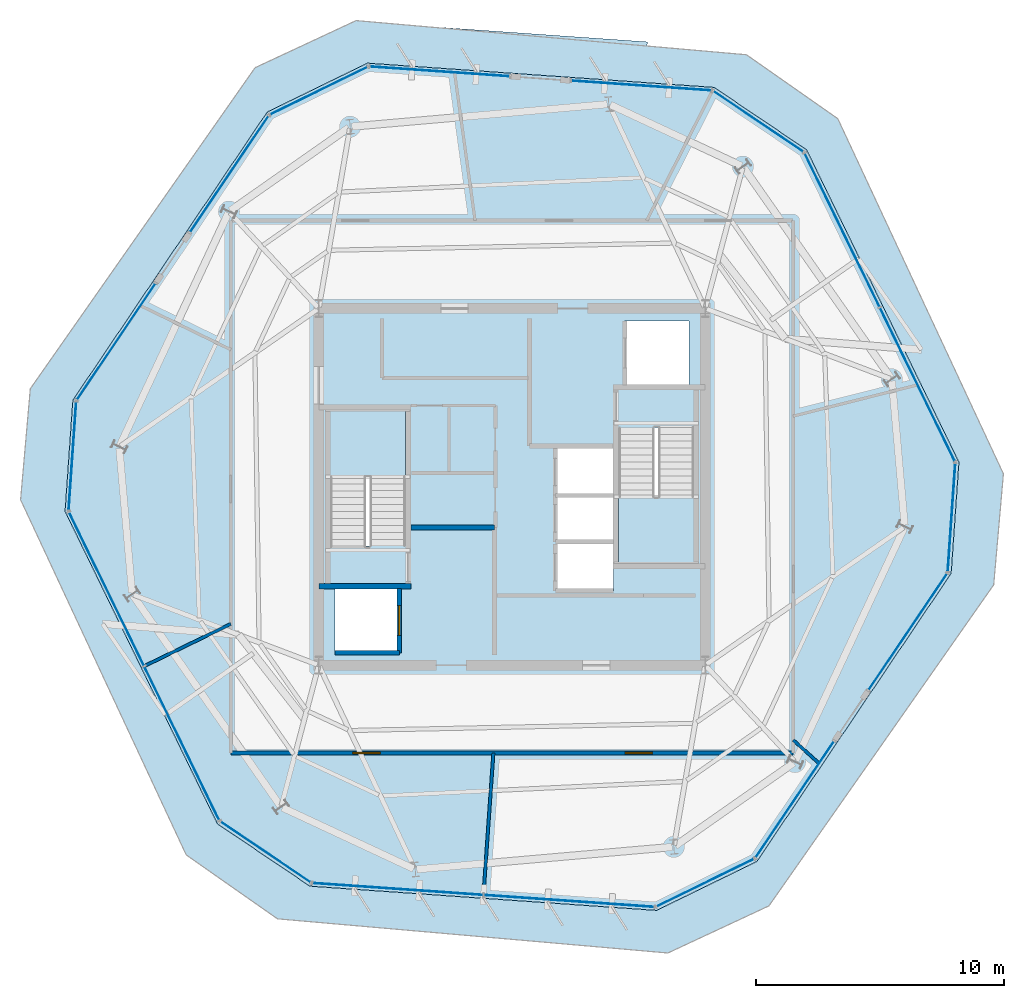
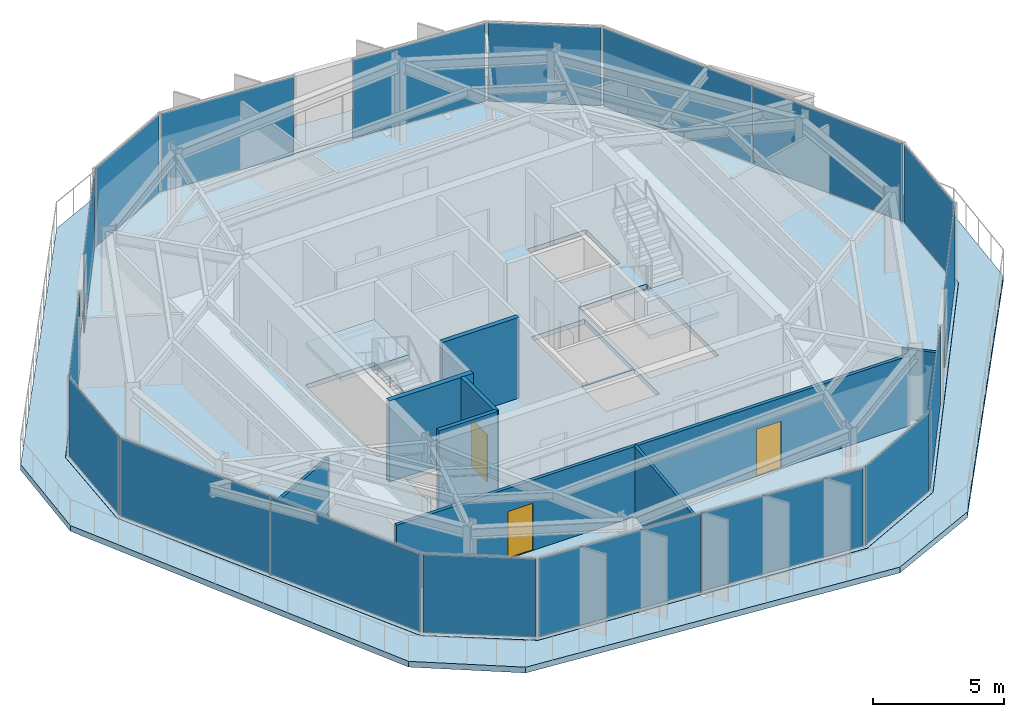
# One storey, part 7 of 12: 18 plates, 8 walls, 4 slabs, 3 doors, 3 openings, 17 elements without a shape of their own.
"""IFC4 building model written with IfcOpenShell, lengths in metres."""

from ifc_helpers import new_model, si_unit, direction, frame, frame_2d, origin, origin_2d, place, context, subcontext, project, spatial, polyline, rectangle, outline, extrude, material, layer, layer_set, type_object, element, fill, aggregate, save


model = new_model("IFC4")

# Units and contexts
model_context = context("Model", 3, precision=1e-05, world=origin(), true_north=direction((0.0, 1.0)))
body_context = subcontext(model_context, "Body", "Model", "MODEL_VIEW")
ifc_project = project(units=[si_unit("LENGTHUNIT", "METRE"), si_unit("AREAUNIT", "SQUARE_METRE"), si_unit("VOLUMEUNIT", "CUBIC_METRE"), si_unit("PLANEANGLEUNIT", "RADIAN"), si_unit("MASSUNIT", "GRAM", prefix="KILO")], contexts=[model_context])

# Site, building, storey
site_placement = place(None, origin())
site = spatial("IfcSite", under=ifc_project, at=site_placement, CompositionType="ELEMENT")
building_placement = place(site_placement, origin())
building = spatial("IfcBuilding", under=site, at=building_placement, Name="Kranzbogen Civic Tower", CompositionType="ELEMENT")
storey_placement = place(building_placement, frame((0.0, 0.0, 250.199951171875)))
storey = spatial("IfcBuildingStorey", under=building, at=storey_placement, Name="L60", CompositionType="ELEMENT", Elevation=250.199951171875)

# Slabs
ifc_material_1 = material(Name="Concrete C40/50", Category="concrete")
ifc_layer_1 = layer(ifc_material_1, 0.219970703125, Name="Concrete C40/50")
ifc_layer_set_1 = layer_set([ifc_layer_1], Name="Concrete C40/50")
slab_type_1 = type_object("IfcSlabType", Name="Composite Upper Tower Floor Slab 220 mm", PredefinedType="FLOOR", material=ifc_layer_set_1)
slab_1_placement = place(storey_placement, frame((0.0, 0.0, -0.219970703125)))
element("IfcSlab", 1, at=slab_1_placement, inside=storey, type_object=slab_type_1, Name="L60 tower floor slab", PredefinedType="FLOOR", context=body_context, shape_type="SweptSolid", body=[
    extrude(outline(polyline([(33.158935546875, 41.1201171875), (19.1640625, 42.09912109375), (15.118896484375, 40.1259765625), (7.27392578125, 28.4951171875), (6.9599609375, 24.006103515625), (13.110107421875, 11.39599609375), (16.841064453125, 8.8798828125), (30.8359375, 7.90087890625), (34.881103515625, 9.8740234375), (42.72607421875, 21.5048828125), (43.0400390625, 25.993896484375), (36.889892578125, 38.60400390625), (33.158935546875, 41.1201171875)]), holes=[polyline([(17.85009765625, 20.89990234375), (20.449951171875, 20.89990234375), (20.449951171875, 18.300048828125), (17.85009765625, 18.300048828125), (17.85009765625, 20.89990234375)]), polyline([(29.10009765625, 22.699951171875), (29.10009765625, 20.800048828125), (26.75, 20.800048828125), (26.75, 22.699951171875), (29.10009765625, 22.699951171875)]), polyline([(29.10009765625, 24.64990234375), (29.10009765625, 22.77490234375), (26.75, 22.77490234375), (26.75, 24.64990234375), (26.75, 24.675048828125), (26.75, 26.550048828125), (29.10009765625, 26.550048828125), (29.10009765625, 24.675048828125), (29.10009765625, 24.64990234375)]), polyline([(29.300048828125, 27.340087890625), (30.75, 27.340087890625), (30.75, 27.39990234375), (32.35009765625, 27.39990234375), (32.35009765625, 21.89990234375), (29.300048828125, 21.89990234375), (29.300048828125, 27.340087890625)]), polyline([(20.699951171875, 22.659912109375), (19.25, 22.659912109375), (19.25, 22.60009765625), (17.64990234375, 22.60009765625), (17.64990234375, 28.10009765625), (20.699951171875, 28.10009765625), (20.699951171875, 22.659912109375)]), polyline([(32.14990234375, 31.699951171875), (32.14990234375, 29.10009765625), (29.550048828125, 29.10009765625), (29.550048828125, 31.699951171875), (32.14990234375, 31.699951171875)])]), origin(), (0.0, 0.0, 1.0), 0.219970703125),
])
ifc_layer_2 = layer(ifc_material_1, 0.27001953125, Name="Concrete C40/50")
ifc_layer_set_2 = layer_set([ifc_layer_2], Name="Concrete C40/50")
slab_type_2 = type_object("IfcSlabType", Name="Health Centre Insulated Roof Terrace Slab 270 mm", PredefinedType="FLOOR", material=ifc_layer_set_2)
slab_2_placement = place(storey_placement, frame((0.0, 0.0, -0.27001953125)))
element("IfcSlab", 2, at=slab_2_placement, inside=storey, type_object=slab_type_2, Name="L60 setback outdoor terrace slab 1", PredefinedType="FLOOR", context=body_context, shape_type="SweptSolid", body=[
    extrude(outline(polyline([(44.837890625, 25.52294921875), (38.152099609375, 39.860107421875), (34.466064453125, 42.44091796875), (30.4541015625, 42.7919921875), (30.466064453125, 42.9619140625), (22.0869140625, 43.548095703125), (22.0849609375, 43.52392578125), (18.70703125, 43.820068359375), (14.6279296875, 41.91796875), (5.554931640625, 28.9599609375), (5.162109375, 24.47705078125), (11.847900390625, 10.139892578125), (15.533935546875, 7.55908203125), (31.29296875, 6.179931640625), (35.3720703125, 8.08203125), (44.445068359375, 21.0400390625), (44.837890625, 25.52294921875)]), holes=[polyline([(33.162109375, 41.1240234375), (36.89306640625, 38.60791015625), (36.89306640625, 38.60791015625), (36.89404296875, 38.60693359375), (36.89404296875, 38.60693359375), (36.89404296875, 38.60693359375), (36.89404296875, 38.60595703125), (43.0439453125, 25.99609375), (43.044921875, 25.99609375), (43.044921875, 25.9951171875), (43.044921875, 25.9951171875), (43.044921875, 25.993896484375), (43.044921875, 25.993896484375), (42.73095703125, 21.5048828125), (42.73095703125, 21.50390625), (42.73095703125, 21.50390625), (42.73095703125, 21.5029296875), (42.72998046875, 21.5029296875), (42.72998046875, 21.501953125), (34.885009765625, 9.87109375), (34.885009765625, 9.87109375), (34.884033203125, 9.8701171875), (34.884033203125, 9.8701171875), (34.884033203125, 9.8701171875), (34.883056640625, 9.8701171875), (30.837890625, 7.89697265625), (30.837890625, 7.89599609375), (30.8369140625, 7.89599609375), (30.8369140625, 7.89599609375), (30.8359375, 7.89599609375), (30.8359375, 7.89599609375), (16.841064453125, 8.875), (16.840087890625, 8.875), (16.840087890625, 8.875), (16.839111328125, 8.875), (16.839111328125, 8.8759765625), (16.837890625, 8.8759765625), (13.10693359375, 11.39208984375), (13.10693359375, 11.39208984375), (13.10595703125, 11.39306640625), (13.10595703125, 11.39306640625), (13.10595703125, 11.39306640625), (13.10595703125, 11.39404296875), (6.9560546875, 24.00390625), (6.955078125, 24.00390625), (6.955078125, 24.0048828125), (6.955078125, 24.0048828125), (6.955078125, 24.006103515625), (6.955078125, 24.006103515625), (7.26904296875, 28.4951171875), (7.26904296875, 28.49609375), (7.26904296875, 28.49609375), (7.26904296875, 28.4970703125), (7.27001953125, 28.4970703125), (7.27001953125, 28.498046875), (15.114990234375, 40.12890625), (15.114990234375, 40.12890625), (15.115966796875, 40.1298828125), (15.115966796875, 40.1298828125), (15.115966796875, 40.1298828125), (15.116943359375, 40.1298828125), (19.162109375, 42.10302734375), (19.162109375, 42.10400390625), (19.1630859375, 42.10400390625), (19.1630859375, 42.10400390625), (19.1640625, 42.10400390625), (19.1640625, 42.10400390625), (33.158935546875, 41.125), (33.159912109375, 41.125), (33.159912109375, 41.125), (33.160888671875, 41.125), (33.160888671875, 41.1240234375), (33.162109375, 41.1240234375)])]), origin(), (0.0, 0.0, 1.0), 0.27001953125),
])

# Curtain wall, plate
ifc_material_2 = material(Name="Pale Anodised Aluminium", Category="aluminium")
ifc_layer_3 = layer(ifc_material_2, 0.219970703125, Name="Pale Anodised Aluminium")
ifc_layer_set_3 = layer_set([ifc_layer_3], Name="Pale Anodised Aluminium")
curtain_wall_type_1 = type_object("IfcCurtainWallType", Name="Chamfer Facet Stick Curtain Wall System CW-06", PredefinedType="USERDEFINED", material=ifc_layer_set_3)
curtain_wall_1_placement = place(storey_placement, origin())
curtain_wall_1 = element("IfcCurtainWall", 3, at=curtain_wall_1_placement, inside=storey, type_object=curtain_wall_type_1, Name="L60 curtain wall CW-L60-C1", ObjectType="STICK CURTAIN WALL", PredefinedType="USERDEFINED")
ifc_material_3 = material(Name="Low-E Triple Glazing Glass", Category="glass")
ifc_layer_4 = layer(ifc_material_3, 0.02587890625, Name="Low-E Triple Glazing Glass")
ifc_layer_set_4 = layer_set([ifc_layer_4], Name="Low-E Triple Glazing Glass")
plate_type_1 = type_object("IfcPlateType", Name="Insulated Low-E Glazing Panel 26 mm", PredefinedType="CURTAIN_PANEL", material=ifc_layer_set_4)
plate_1_placement = place(storey_placement, frame((17.202392578125, 40.988037109375, 0.06005859375), z_axis=(0.0, 0.0, 1.0), x_axis=(-0.898729699392, -0.438503052931, 0.0)))
plate_1 = element("IfcPlate", 4, at=plate_1_placement, type_object=plate_type_1, Name="CW-06 panel 1.1", PredefinedType="CURTAIN_PANEL", context=body_context, shape_type="SweptSolid", body=[
    extrude(rectangle(XDim=4.34521484375, YDim=0.028076171875, at=origin_2d()), origin(), (0.0, 0.0, 1.0), 3.659912109375),
])
aggregate(curtain_wall_1, [plate_1])

curtain_wall_2_placement = place(storey_placement, origin())
curtain_wall_2 = element("IfcCurtainWall", 5, at=curtain_wall_2_placement, inside=storey, type_object=curtain_wall_type_1, Name="L60 curtain wall CW-L60-C2", ObjectType="STICK CURTAIN WALL", PredefinedType="USERDEFINED")
plate_2_placement = place(storey_placement, frame((7.255615234375, 26.240966796875, 0.06005859375), z_axis=(0.0, 0.0, 1.0), x_axis=(-0.069655280364, -0.997571121233, 0.0)))
plate_2 = element("IfcPlate", 6, at=plate_2_placement, type_object=plate_type_1, Name="CW-06 panel 1.1", PredefinedType="CURTAIN_PANEL", context=body_context, shape_type="SweptSolid", body=[
    extrude(rectangle(XDim=4.3447265625, YDim=0.028076171875, at=origin_2d()), origin(), (0.0, 0.0, 1.0), 3.659912109375),
])
aggregate(curtain_wall_2, [plate_2])

curtain_wall_3_placement = place(storey_placement, origin())
curtain_wall_3 = element("IfcCurtainWall", 7, at=curtain_wall_3_placement, inside=storey, type_object=curtain_wall_type_1, Name="L60 curtain wall CW-L60-C3", ObjectType="STICK CURTAIN WALL", PredefinedType="USERDEFINED")
plate_3_placement = place(storey_placement, frame((15.052978515625, 10.2529296875, 0.06005859375), z_axis=(0.0, 0.0, 1.0), x_axis=(0.829144558925, -0.559034256915, 0.0)))
plate_3 = element("IfcPlate", 8, at=plate_3_placement, type_object=plate_type_1, Name="CW-06 panel 1.1", PredefinedType="CURTAIN_PANEL", context=body_context, shape_type="SweptSolid", body=[
    extrude(rectangle(XDim=4.3447265625, YDim=0.028076171875, at=origin_2d()), origin(), (0.0, 0.0, 1.0), 3.659912109375),
])
aggregate(curtain_wall_3, [plate_3])

curtain_wall_4_placement = place(storey_placement, origin())
curtain_wall_4 = element("IfcCurtainWall", 9, at=curtain_wall_4_placement, inside=storey, type_object=curtain_wall_type_1, Name="L60 curtain wall CW-L60-C4", ObjectType="STICK CURTAIN WALL", PredefinedType="USERDEFINED")
plate_4_placement = place(storey_placement, frame((32.797607421875, 9.011962890625, 0.06005859375), z_axis=(0.0, 0.0, 1.0), x_axis=(0.898729699392, 0.438503052931, 0.0)))
plate_4 = element("IfcPlate", 10, at=plate_4_placement, type_object=plate_type_1, Name="CW-06 panel 1.1", PredefinedType="CURTAIN_PANEL", context=body_context, shape_type="SweptSolid", body=[
    extrude(rectangle(XDim=4.34521484375, YDim=0.028076171875, at=origin_2d()), origin(), (0.0, 0.0, 1.0), 3.659912109375),
])
aggregate(curtain_wall_4, [plate_4])

curtain_wall_5_placement = place(storey_placement, origin())
curtain_wall_5 = element("IfcCurtainWall", 11, at=curtain_wall_5_placement, inside=storey, type_object=curtain_wall_type_1, Name="L60 curtain wall CW-L60-C5", ObjectType="STICK CURTAIN WALL", PredefinedType="USERDEFINED")
plate_5_placement = place(storey_placement, frame((42.744384765625, 23.759033203125, 0.06005859375), z_axis=(0.0, 0.0, 1.0), x_axis=(0.069655280364, 0.997571121233, 0.0)))
plate_5 = element("IfcPlate", 12, at=plate_5_placement, type_object=plate_type_1, Name="CW-06 panel 1.1", PredefinedType="CURTAIN_PANEL", context=body_context, shape_type="SweptSolid", body=[
    extrude(rectangle(XDim=4.3447265625, YDim=0.028076171875, at=origin_2d()), origin(), (0.0, 0.0, 1.0), 3.659912109375),
])
aggregate(curtain_wall_5, [plate_5])

curtain_wall_6_placement = place(storey_placement, origin())
curtain_wall_6 = element("IfcCurtainWall", 13, at=curtain_wall_6_placement, inside=storey, type_object=curtain_wall_type_1, Name="L60 curtain wall CW-L60-C6", ObjectType="STICK CURTAIN WALL", PredefinedType="USERDEFINED")
plate_6_placement = place(storey_placement, frame((34.947021484375, 39.7470703125, 0.06005859375), z_axis=(0.0, 0.0, 1.0), x_axis=(-0.829144558925, 0.559034256915, 0.0)))
plate_6 = element("IfcPlate", 14, at=plate_6_placement, type_object=plate_type_1, Name="CW-06 panel 1.1", PredefinedType="CURTAIN_PANEL", context=body_context, shape_type="SweptSolid", body=[
    extrude(rectangle(XDim=4.3447265625, YDim=0.028076171875, at=origin_2d()), origin(), (0.0, 0.0, 1.0), 3.659912109375),
])
aggregate(curtain_wall_6, [plate_6])

ifc_layer_5 = layer(ifc_material_2, 0.219970703125, Name="Pale Anodised Aluminium")
ifc_layer_set_5 = layer_set([ifc_layer_5], Name="Pale Anodised Aluminium")
curtain_wall_type_2 = type_object("IfcCurtainWallType", Name="Zone 4 Stick Curtain Wall System CW-05", PredefinedType="USERDEFINED", material=ifc_layer_set_5)
curtain_wall_7_placement = place(storey_placement, origin())
curtain_wall_7 = element("IfcCurtainWall", 15, at=curtain_wall_7_placement, inside=storey, type_object=curtain_wall_type_2, Name="L60 curtain wall CW-L60-F1-S1", ObjectType="STICK CURTAIN WALL", PredefinedType="USERDEFINED")
ifc_layer_6 = layer(ifc_material_3, 0.028076171875, Name="Low-E Triple Glazing Glass")
ifc_layer_set_6 = layer_set([ifc_layer_6], Name="Low-E Triple Glazing Glass")
plate_type_2 = type_object("IfcPlateType", Name="Insulated Low-E Glazing Panel 28 mm", PredefinedType="CURTAIN_PANEL", material=ifc_layer_set_6)
plate_7_placement = place(storey_placement, frame((30.222900390625, 41.196044921875, 0.06005859375), z_axis=(0.0, 0.0, 1.0), x_axis=(-0.997561626971, 0.069791119738, 0.0)))
plate_7 = element("IfcPlate", 16, at=plate_7_placement, type_object=plate_type_2, Name="CW-05 panel 1.1", PredefinedType="CURTAIN_PANEL", context=body_context, shape_type="SweptSolid", body=[
    extrude(rectangle(XDim=5.64013671875, YDim=0.028076171875, at=origin_2d()), origin(), (0.0, 0.0, 1.0), 3.659912109375),
])
aggregate(curtain_wall_7, [plate_7])

curtain_wall_8_placement = place(storey_placement, origin())
curtain_wall_8 = element("IfcCurtainWall", 17, at=curtain_wall_8_placement, inside=storey, type_object=curtain_wall_type_2, Name="L60 curtain wall CW-L60-F1-S2", ObjectType="STICK CURTAIN WALL", PredefinedType="USERDEFINED")
plate_8_placement = place(storey_placement, frame((22.08251953125, 41.76611328125, 0.06005859375), z_axis=(0.0, 0.0, 1.0), x_axis=(-0.99756247237, 0.06977903496, 0.0)))
plate_8 = element("IfcPlate", 18, at=plate_8_placement, type_object=plate_type_2, Name="CW-05 panel 1.1", PredefinedType="CURTAIN_PANEL", context=body_context, shape_type="SweptSolid", body=[
    extrude(rectangle(XDim=5.64111328125, YDim=0.028076171875, at=origin_2d()), origin(), (0.0, 0.0, 1.0), 3.659912109375),
])
aggregate(curtain_wall_8, [plate_8])

curtain_wall_9_placement = place(storey_placement, origin())
curtain_wall_9 = element("IfcCurtainWall", 19, at=curtain_wall_9_placement, inside=storey, type_object=curtain_wall_type_2, Name="L60 curtain wall CW-L60-F2-S1", ObjectType="STICK CURTAIN WALL", PredefinedType="USERDEFINED")
plate_9_placement = place(storey_placement, frame((13.58544921875, 37.62158203125, 0.06005859375), z_axis=(0.0, 0.0, 1.0), x_axis=(-0.559219373817, -0.829019717466, 0.0)))
plate_9 = element("IfcPlate", 20, at=plate_9_placement, type_object=plate_type_2, Name="CW-05 panel 1.1", PredefinedType="CURTAIN_PANEL", context=body_context, shape_type="SweptSolid", body=[
    extrude(rectangle(XDim=5.639892578125, YDim=0.028076171875, at=origin_2d()), origin(), (0.0, 0.0, 1.0), 3.659912109375),
])
aggregate(curtain_wall_9, [plate_9])

curtain_wall_10_placement = place(storey_placement, origin())
curtain_wall_10 = element("IfcCurtainWall", 21, at=curtain_wall_10_placement, inside=storey, type_object=curtain_wall_type_2, Name="L60 curtain wall CW-L60-F2-S2", ObjectType="STICK CURTAIN WALL", PredefinedType="USERDEFINED")
plate_10_placement = place(storey_placement, frame((9.02197265625, 30.85595703125, 0.06005859375), z_axis=(0.0, 0.0, 1.0), x_axis=(-0.559258196655, -0.828993528005, 0.0)))
plate_10 = element("IfcPlate", 22, at=plate_10_placement, type_object=plate_type_2, Name="CW-05 panel 1.1", PredefinedType="CURTAIN_PANEL", context=body_context, shape_type="SweptSolid", body=[
    extrude(rectangle(XDim=5.64111328125, YDim=0.028076171875, at=origin_2d()), origin(), (0.0, 0.0, 1.0), 3.659912109375),
])
aggregate(curtain_wall_10, [plate_10])

# Curtain wall, plates
curtain_wall_11_placement = place(storey_placement, origin())
curtain_wall_11 = element("IfcCurtainWall", 23, at=curtain_wall_11_placement, inside=storey, type_object=curtain_wall_type_2, Name="L60 curtain wall CW-L60-F3", ObjectType="STICK CURTAIN WALL", PredefinedType="USERDEFINED")
plate_11_placement = place(storey_placement, frame((8.632080078125, 20.872314453125, 0.06005859375), z_axis=(0.0, 0.0, 1.0), x_axis=(0.438313241506, -0.898822286284, 0.0)))
plate_11 = element("IfcPlate", 24, at=plate_11_placement, type_object=plate_type_2, Name="CW-05 panel 1.1", PredefinedType="CURTAIN_PANEL", context=body_context, shape_type="SweptSolid", body=[
    extrude(rectangle(XDim=6.870849609375, YDim=0.028076171875, at=origin_2d()), origin(), (0.0, 0.0, 1.0), 3.659912109375),
])
plate_12_placement = place(storey_placement, frame((11.669921875, 14.642822265625, 0.06005859375), z_axis=(0.0, 0.0, 1.0), x_axis=(0.438313241506, -0.898822286284, 0.0)))
plate_12 = element("IfcPlate", 25, at=plate_12_placement, type_object=plate_type_2, Name="CW-05 panel 2.1", PredefinedType="CURTAIN_PANEL", context=body_context, shape_type="SweptSolid", body=[
    extrude(rectangle(XDim=6.870849609375, YDim=0.028076171875, at=origin_2d()), origin(), (0.0, 0.0, 1.0), 3.659912109375),
])
aggregate(curtain_wall_11, [plate_11, plate_12])

curtain_wall_12_placement = place(storey_placement, origin())
curtain_wall_12 = element("IfcCurtainWall", 26, at=curtain_wall_12_placement, inside=storey, type_object=curtain_wall_type_2, Name="L60 curtain wall CW-L60-F4", ObjectType="STICK CURTAIN WALL", PredefinedType="USERDEFINED")
plate_13_placement = place(storey_placement, frame((20.390625, 8.760986328125, 0.06005859375), z_axis=(0.0, 0.0, 1.0), x_axis=(0.997559417469, -0.069822694158, 0.0)))
plate_13 = element("IfcPlate", 27, at=plate_13_placement, type_object=plate_type_2, Name="CW-05 panel 1.1", PredefinedType="CURTAIN_PANEL", context=body_context, shape_type="SweptSolid", body=[
    extrude(rectangle(XDim=6.87060546875, YDim=0.028076171875, at=origin_2d()), origin(), (0.0, 0.0, 1.0), 3.659912109375),
])
plate_14_placement = place(storey_placement, frame((27.30419921875, 8.277099609375, 0.06005859375), z_axis=(0.0, 0.0, 1.0), x_axis=(0.997559417469, -0.069822694158, 0.0)))
plate_14 = element("IfcPlate", 28, at=plate_14_placement, type_object=plate_type_2, Name="CW-05 panel 2.1", PredefinedType="CURTAIN_PANEL", context=body_context, shape_type="SweptSolid", body=[
    extrude(rectangle(XDim=6.87060546875, YDim=0.028076171875, at=origin_2d()), origin(), (0.0, 0.0, 1.0), 3.659912109375),
])
aggregate(curtain_wall_12, [plate_13, plate_14])

# Curtain wall, plate
curtain_wall_13_placement = place(storey_placement, origin())
curtain_wall_13 = element("IfcCurtainWall", 29, at=curtain_wall_13_placement, inside=storey, type_object=curtain_wall_type_2, Name="L60 curtain wall CW-L60-F5-S1", ObjectType="STICK CURTAIN WALL", PredefinedType="USERDEFINED")
plate_15_placement = place(storey_placement, frame((36.41455078125, 12.37841796875, 0.06005859375), z_axis=(0.0, 0.0, 1.0), x_axis=(0.559219373817, 0.829019717466, 0.0)))
plate_15 = element("IfcPlate", 30, at=plate_15_placement, type_object=plate_type_2, Name="CW-05 panel 1.1", PredefinedType="CURTAIN_PANEL", context=body_context, shape_type="SweptSolid", body=[
    extrude(rectangle(XDim=5.639892578125, YDim=0.028076171875, at=origin_2d()), origin(), (0.0, 0.0, 1.0), 3.659912109375),
])
aggregate(curtain_wall_13, [plate_15])

curtain_wall_14_placement = place(storey_placement, origin())
curtain_wall_14 = element("IfcCurtainWall", 31, at=curtain_wall_14_placement, inside=storey, type_object=curtain_wall_type_2, Name="L60 curtain wall CW-L60-F5-S2", ObjectType="STICK CURTAIN WALL", PredefinedType="USERDEFINED")
plate_16_placement = place(storey_placement, frame((40.97802734375, 19.14404296875, 0.06005859375), z_axis=(0.0, 0.0, 1.0), x_axis=(0.559258196655, 0.828993528005, 0.0)))
plate_16 = element("IfcPlate", 32, at=plate_16_placement, type_object=plate_type_2, Name="CW-05 panel 1.1", PredefinedType="CURTAIN_PANEL", context=body_context, shape_type="SweptSolid", body=[
    extrude(rectangle(XDim=5.64111328125, YDim=0.028076171875, at=origin_2d()), origin(), (0.0, 0.0, 1.0), 3.659912109375),
])
aggregate(curtain_wall_14, [plate_16])

# Curtain wall, plates
curtain_wall_15_placement = place(storey_placement, origin())
curtain_wall_15 = element("IfcCurtainWall", 33, at=curtain_wall_15_placement, inside=storey, type_object=curtain_wall_type_2, Name="L60 curtain wall CW-L60-F6", ObjectType="STICK CURTAIN WALL", PredefinedType="USERDEFINED")
plate_17_placement = place(storey_placement, frame((41.367919921875, 29.127685546875, 0.06005859375), z_axis=(0.0, 0.0, 1.0), x_axis=(-0.438313241506, 0.898822286284, 0.0)))
plate_17 = element("IfcPlate", 34, at=plate_17_placement, type_object=plate_type_2, Name="CW-05 panel 1.1", PredefinedType="CURTAIN_PANEL", context=body_context, shape_type="SweptSolid", body=[
    extrude(rectangle(XDim=6.870849609375, YDim=0.028076171875, at=origin_2d()), origin(), (0.0, 0.0, 1.0), 3.659912109375),
])
plate_18_placement = place(storey_placement, frame((38.330078125, 35.357177734375, 0.06005859375), z_axis=(0.0, 0.0, 1.0), x_axis=(-0.438313241506, 0.898822286284, 0.0)))
plate_18 = element("IfcPlate", 35, at=plate_18_placement, type_object=plate_type_2, Name="CW-05 panel 2.1", PredefinedType="CURTAIN_PANEL", context=body_context, shape_type="SweptSolid", body=[
    extrude(rectangle(XDim=6.870849609375, YDim=0.028076171875, at=origin_2d()), origin(), (0.0, 0.0, 1.0), 3.659912109375),
])
aggregate(curtain_wall_15, [plate_17, plate_18])

# Stair, slab
ifc_material_4 = material(Name="Precast concrete C40/50", Category="concrete")
stair_type_1 = type_object("IfcStairType", Name="Tower Core Pressurized Dogleg Stair 1450", PredefinedType="HALF_TURN_STAIR", material=ifc_material_4)
stair_1_placement = place(storey_placement, origin())
stair_1 = element("IfcStair", 36, at=stair_1_placement, inside=storey, type_object=stair_type_1, Name="L60 Tower Core Pressurized Stair 1", PredefinedType="HALF_TURN_STAIR")
ifc_layer_7 = layer(ifc_material_4, 0.199951171875, Name="Precast concrete C40/50")
ifc_layer_set_7 = layer_set([ifc_layer_7], Name="Precast concrete C40/50")
slab_type_3 = type_object("IfcSlabType", Name="Precast Concrete Stair Landing Slab 200 mm", PredefinedType="LANDING", material=ifc_layer_set_7)
slab_3_placement = place(storey_placement, frame((0.0, 0.0, 1.800048828125)))
slab_3 = element("IfcSlab", 37, at=slab_3_placement, type_object=slab_type_3, Name="ST-T1 landing 1", PredefinedType="LANDING", context=body_context, shape_type="SweptSolid", body=[
    extrude(outline(polyline([(20.699951171875, 25.39990234375), (20.699951171875, 28.10009765625), (17.64990234375, 28.10009765625), (17.64990234375, 25.39990234375), (20.699951171875, 25.39990234375)])), origin(), (0.0, 0.0, 1.0), 0.199951171875),
])
aggregate(stair_1, [slab_3])

stair_type_2 = type_object("IfcStairType", Name="Tower Core Secondary Dogleg Stair 1450", PredefinedType="HALF_TURN_STAIR", material=ifc_material_4)
stair_2_placement = place(storey_placement, origin())
stair_2 = element("IfcStair", 38, at=stair_2_placement, inside=storey, type_object=stair_type_2, Name="L60 Tower Core Pressurized Stair 2", PredefinedType="HALF_TURN_STAIR")
slab_4_placement = place(storey_placement, frame((0.0, 0.0, 1.800048828125)))
slab_4 = element("IfcSlab", 39, at=slab_4_placement, type_object=slab_type_3, Name="ST-T2 landing 1", PredefinedType="LANDING", context=body_context, shape_type="SweptSolid", body=[
    extrude(outline(polyline([(29.300048828125, 24.60009765625), (29.300048828125, 21.89990234375), (32.35009765625, 21.89990234375), (32.35009765625, 24.60009765625), (29.300048828125, 24.60009765625)])), origin(), (0.0, 0.0, 1.0), 0.199951171875),
])
aggregate(stair_2, [slab_4])

# Wall, openings, doors
ifc_material_5 = material(Name="Double-Stud Acoustic Gypsum Partition")
ifc_layer_8 = layer(ifc_material_5, 0.14990234375, Name="Double-Stud Acoustic Gypsum Partition")
ifc_layer_set_8 = layer_set([ifc_layer_8], Name="Double-Stud Acoustic Gypsum Partition")
wall_type_1 = type_object("IfcWallType", Name="Acoustic Corridor and Clinical Partition 150 mm", PredefinedType="PARTITIONING", material=ifc_layer_set_8)
wall_1_placement = place(storey_placement, frame((36.35009765625, 14.25, 0.0), z_axis=(0.0, 0.0, 1.0), x_axis=(-1.0, 0.0, 0.0)))
wall_1 = element("IfcWall", 40, at=wall_1_placement, inside=storey, type_object=wall_type_1, Name="L60 corridor partition 03", PredefinedType="PARTITIONING", context=body_context, shape_type="SweptSolid", body=[
    extrude(rectangle(XDim=22.7001953125, YDim=0.14990234375, at=frame_2d((11.35009765625, 0.0))), origin(), (0.0, 0.0, 1.0), 3.280029296875),
])
opening_1_placement = place(wall_1_placement, frame((16.669921875, 0.0, 0.0)))
opening_1 = element("IfcOpeningElement", 41, at=opening_1_placement, cuts=wall_1, Name="Opening D-COR60", PredefinedType="OPENING", context=body_context, shape_type="SweptSolid", body=[
    extrude(rectangle(XDim=1.10009765625, YDim=2.199951171875, at=frame_2d((0.550048828125, 1.10009765625))), frame((0.0, 0.0849609375, 0.0), z_axis=(0.0, -1.0, 0.0), x_axis=(1.0, 0.0, 0.0)), (0.0, 0.0, 1.0), 0.169921875),
])
opening_2_placement = place(wall_1_placement, frame((5.68701171875, 0.0, 0.0)))
opening_2 = element("IfcOpeningElement", 42, at=opening_2_placement, cuts=wall_1, Name="Opening D-COR60", PredefinedType="OPENING", context=body_context, shape_type="SweptSolid", body=[
    extrude(rectangle(XDim=1.10009765625, YDim=2.199951171875, at=frame_2d((0.550048828125, 1.10009765625))), frame((0.0, 0.0849609375, 0.0), z_axis=(0.0, -1.0, 0.0), x_axis=(1.0, 0.0, 0.0)), (0.0, 0.0, 1.0), 0.169921875),
])
ifc_material_6 = material(Name="Oak Timber and Fire Core", Category="wood")
door_type_1 = type_object("IfcDoorType", Name="Corridor Acoustic Fire Door 1100x2200", OperationType="NOTDEFINED", PredefinedType="DOOR", material=ifc_material_6)
door_1_placement = place(opening_1_placement, origin())
door_1 = element("IfcDoor", 43, at=door_1_placement, inside=storey, type_object=door_type_1, Name="L60 Delegates Sitting Lounge door", OperationType="SINGLE_SWING_RIGHT", OverallHeight=2.199951171875, OverallWidth=1.10009765625, PredefinedType="DOOR", context=body_context, shape_type="SweptSolid", body=[
    extrude(rectangle(XDim=1.10009765625, YDim=2.199951171875, at=frame_2d((0.550048828125, 1.10009765625))), frame((0.0, 0.02490234375, 0.0), z_axis=(0.0, -1.0, 0.0), x_axis=(1.0, 0.0, 0.0)), (0.0, 0.0, 1.0), 0.050048828125),
])
fill(opening_1, door_1)
door_2_placement = place(opening_2_placement, origin())
door_2 = element("IfcDoor", 44, at=door_2_placement, inside=storey, type_object=door_type_1, Name="L60 Executive Research Study door", OperationType="SINGLE_SWING_LEFT", OverallHeight=2.199951171875, OverallWidth=1.10009765625, PredefinedType="DOOR", context=body_context, shape_type="SweptSolid", body=[
    extrude(rectangle(XDim=1.10009765625, YDim=2.199951171875, at=frame_2d((0.550048828125, 1.10009765625))), frame((0.0, 0.02490234375, 0.0), z_axis=(0.0, -1.0, 0.0), x_axis=(1.0, 0.0, 0.0)), (0.0, 0.0, 1.0), 0.050048828125),
])
fill(opening_2, door_2)

# Walls
ifc_material_7 = material(Name="Insulated Metal-Stud Gypsum Partition")
ifc_layer_9 = layer(ifc_material_7, 0.125, Name="Insulated Metal-Stud Gypsum Partition")
ifc_layer_set_9 = layer_set([ifc_layer_9], Name="Insulated Metal-Stud Gypsum Partition")
wall_type_2 = type_object("IfcWallType", Name="Acoustic Inter-Room Partition 125 mm", PredefinedType="PARTITIONING", material=ifc_layer_set_9)
wall_2_placement = place(storey_placement, frame((13.64990234375, 19.464111328125, 0.0), z_axis=(0.0, 0.0, 1.0), x_axis=(-0.898841056679, -0.438274748107, 0.0)))
element("IfcWall", 45, at=wall_2_placement, inside=storey, type_object=wall_type_2, Name="L60 radial room partition 03", PredefinedType="PARTITIONING", context=body_context, shape_type="SweptSolid", body=[
    extrude(rectangle(XDim=3.876953125, YDim=0.125, at=frame_2d((1.9384765625, 0.0))), origin(), (0.0, 0.0, 1.0), 3.25),
])
wall_3_placement = place(storey_placement, frame((24.248046875, 14.25, 0.0), z_axis=(0.0, 0.0, 1.0), x_axis=(-0.069632781352, -0.997572691968, 0.0)))
element("IfcWall", 46, at=wall_3_placement, inside=storey, type_object=wall_type_2, Name="L60 radial room partition 04", PredefinedType="PARTITIONING", context=body_context, shape_type="SweptSolid", body=[
    extrude(rectangle(XDim=5.72900390625, YDim=0.125, at=frame_2d((2.864501953125, 0.0))), origin(), (0.0, 0.0, 1.0), 3.280029296875),
])
wall_4_placement = place(storey_placement, frame((36.35009765625, 14.777099609375, 0.0), z_axis=(0.0, 0.0, 1.0), x_axis=(0.743041331361, -0.669245530346, 0.0)))
element("IfcWall", 47, at=wall_4_placement, inside=storey, type_object=wall_type_2, Name="L60 radial room partition 05", PredefinedType="PARTITIONING", context=body_context, shape_type="SweptSolid", body=[
    extrude(rectangle(XDim=1.392822265625, YDim=0.125, at=frame_2d((0.6962890625, 0.0))), origin(), (0.0, 0.0, 1.0), 3.280029296875),
])
ifc_material_8 = material(Name="Concrete C45/55", Category="concrete")
ifc_layer_10 = layer(ifc_material_8, 0.219970703125, Name="Concrete C45/55")
ifc_layer_set_10 = layer_set([ifc_layer_10], Name="Concrete C45/55")
wall_type_3 = type_object("IfcWallType", Name="Core Internal Stair Structural Wall 220 mm", PredefinedType="SOLIDWALL", material=ifc_layer_set_10)
wall_5_placement = place(storey_placement, frame((17.199951171875, 20.989990234375, 0.0), z_axis=(0.0, 0.0, 1.0), x_axis=(1.0, 0.0, 0.0)))
element("IfcWall", 48, at=wall_5_placement, inside=storey, type_object=wall_type_3, Name="L60 ST-T1 South structural stair wall", PredefinedType="SOLIDWALL", context=body_context, shape_type="SweptSolid", body=[
    extrude(rectangle(XDim=3.719970703125, YDim=0.219970703125, at=frame_2d((1.85986328125, 0.0))), origin(), (0.0, 0.0, 1.0), 3.780029296875),
])
ifc_material_9 = material(Name="Gypsum Fireboard and Concrete Block", Category="concrete")
ifc_layer_11 = layer(ifc_material_9, 0.199951171875, Name="Gypsum Fireboard and Concrete Block")
ifc_layer_set_11 = layer_set([ifc_layer_11], Name="Gypsum Fireboard and Concrete Block")
wall_type_4 = type_object("IfcWallType", Name="Fire-Rated Exit Passageway and Stair Wall 200 mm", PredefinedType="PARTITIONING", material=ifc_layer_set_11)
wall_6_placement = place(storey_placement, frame((20.919921875, 23.35009765625, 0.0), z_axis=(0.0, 0.0, 1.0), x_axis=(1.0, 0.0, 0.0)))
element("IfcWall", 49, at=wall_6_placement, inside=storey, type_object=wall_type_4, Name="L60 West firefighting lobby North wall", PredefinedType="PARTITIONING", context=body_context, shape_type="SweptSolid", body=[
    extrude(rectangle(XDim=3.380126953125, YDim=0.199951171875, at=frame_2d((1.68994140625, 0.0))), origin(), (0.0, 0.0, 1.0), 3.780029296875),
])

# Wall, opening, door
ifc_material_10 = material(Name="Gypsum Fireboard Shaftliner")
ifc_layer_12 = layer(ifc_material_10, 0.175048828125, Name="Gypsum Fireboard Shaftliner")
ifc_layer_set_12 = layer_set([ifc_layer_12], Name="Gypsum Fireboard Shaftliner")
wall_type_5 = type_object("IfcWallType", Name="Fire-Rated Lift and Service Shaft Wall 175 mm", PredefinedType="PARTITIONING", material=ifc_layer_set_12)
wall_7_placement = place(storey_placement, frame((20.449951171875, 18.300048828125, 0.0), z_axis=(0.0, 0.0, 1.0), x_axis=(0.0, 1.0, 0.0)))
wall_7 = element("IfcWall", 50, at=wall_7_placement, inside=storey, type_object=wall_type_5, Name="L60 lift FF-01 landing wall", PredefinedType="PARTITIONING", context=body_context, shape_type="SweptSolid", body=[
    extrude(rectangle(XDim=2.599853515625, YDim=0.175048828125, at=frame_2d((1.2998046875, 0.0))), origin(), (0.0, 0.0, 1.0), 3.780029296875),
])
opening_3_placement = place(wall_7_placement, frame((0.699951171875, 0.0, 0.0)))
opening_3 = element("IfcOpeningElement", 51, at=opening_3_placement, cuts=wall_7, Name="Opening LD-FF-01", PredefinedType="OPENING", context=body_context, shape_type="SweptSolid", body=[
    extrude(rectangle(XDim=1.199951171875, YDim=2.199951171875, at=frame_2d((0.60009765625, 1.10009765625))), frame((0.0, 0.09765625, 0.0), z_axis=(0.0, -1.0, 0.0), x_axis=(1.0, 0.0, 0.0)), (0.0, 0.0, 1.0), 0.195068359375),
])
door_type_2 = type_object("IfcDoorType", Name="Firefighting and Stretcher Lift Sliding Landing Door 1200x2200", OperationType="DOUBLE_DOOR_SLIDING", PredefinedType="DOOR", material=ifc_material_2)
door_3_placement = place(opening_3_placement, origin())
door_3 = element("IfcDoor", 52, at=door_3_placement, inside=storey, type_object=door_type_2, Name="L60 lift FF-01 sliding landing door", OperationType="DOUBLE_DOOR_SLIDING", OverallHeight=2.199951171875, OverallWidth=1.199951171875, PredefinedType="DOOR", context=body_context, shape_type="SweptSolid", body=[
    extrude(rectangle(XDim=1.199951171875, YDim=2.199951171875, at=frame_2d((0.60009765625, 1.10009765625))), frame((0.0, 0.02490234375, 0.0), z_axis=(0.0, -1.0, 0.0), x_axis=(1.0, 0.0, 0.0)), (0.0, 0.0, 1.0), 0.050048828125),
])
fill(opening_3, door_3)

# Wall
wall_8_placement = place(storey_placement, frame((17.85009765625, 18.300048828125, 0.0), z_axis=(0.0, 0.0, 1.0), x_axis=(1.0, 0.0, 0.0)))
element("IfcWall", 53, at=wall_8_placement, inside=storey, type_object=wall_type_5, Name="L60 lift FF-01 side wall", PredefinedType="PARTITIONING", context=body_context, shape_type="SweptSolid", body=[
    extrude(rectangle(XDim=2.599853515625, YDim=0.175048828125, at=frame_2d((1.2998046875, 0.0))), origin(), (0.0, 0.0, 1.0), 3.780029296875),
])

save(model, "model.ifc")
